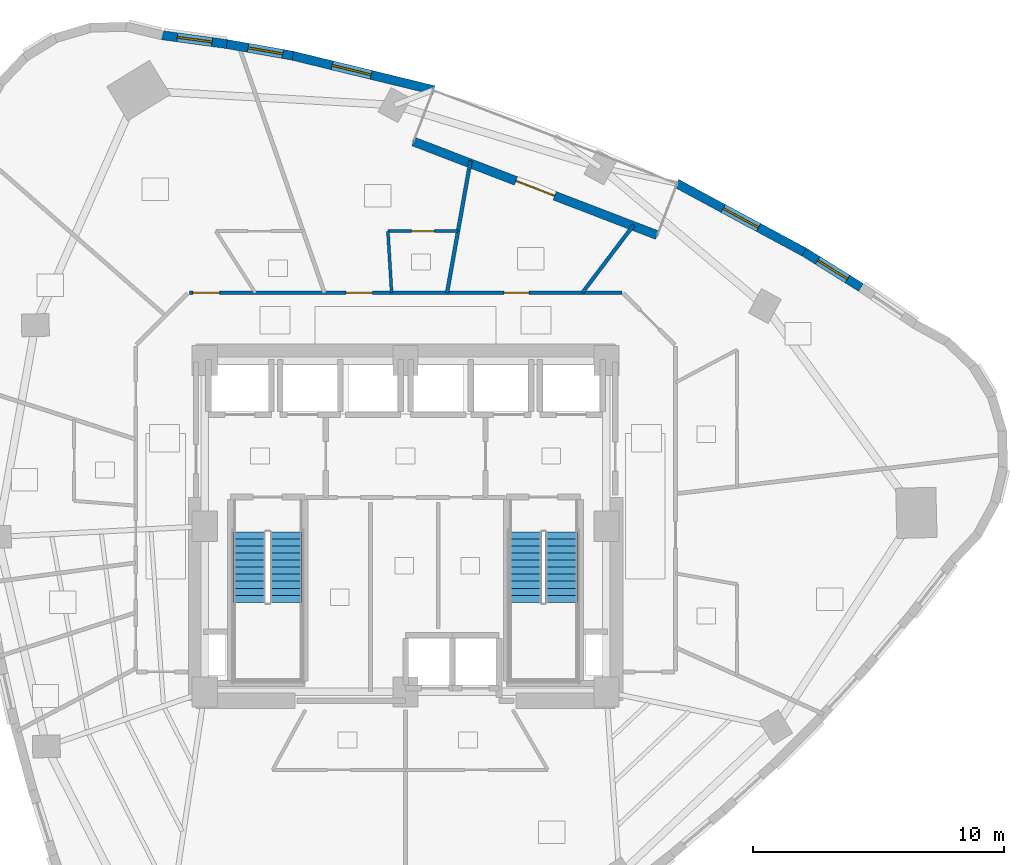
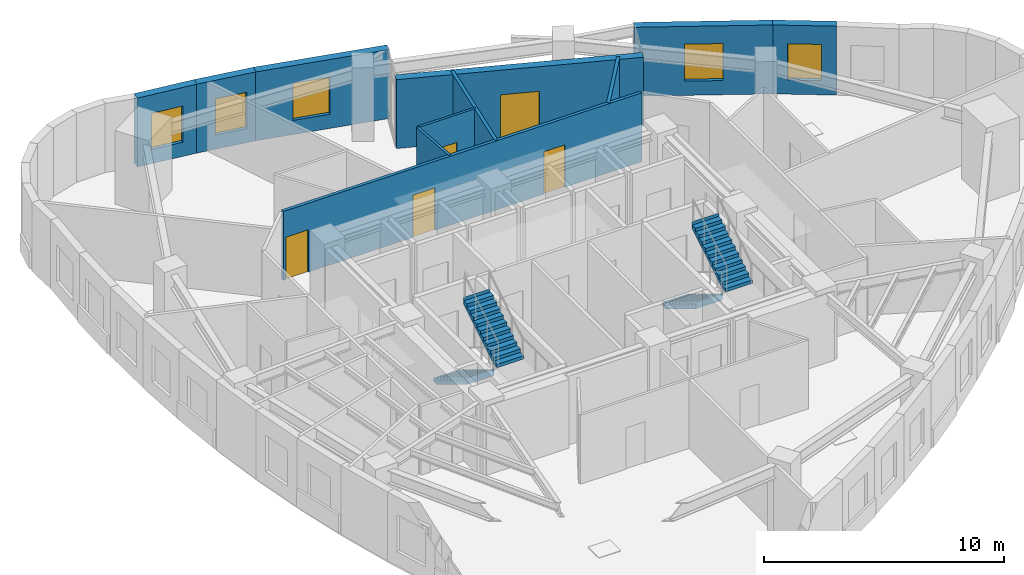
# One storey, part 9 of 12: 11 walls, 5 doors, 5 windows, 4 stair flights, 10 openings, 2 elements without a shape of their own.
"""IFC4 building model written with IfcOpenShell, lengths in metres."""

from ifc_helpers import new_model, si_unit, direction, frame, frame_2d, origin, place, context, subcontext, project, spatial, polyline, rectangle, outline, extrude, material, layer, layer_set, type_object, element, fill, aggregate, save


model = new_model("IFC4")

# Units and contexts
model_context = context("Model", 3, precision=1e-05, world=origin(), true_north=direction((0.0, 1.0)))
body_context = subcontext(model_context, "Body", "Model", "MODEL_VIEW")
ifc_project = project(units=[si_unit("LENGTHUNIT", "METRE"), si_unit("AREAUNIT", "SQUARE_METRE"), si_unit("VOLUMEUNIT", "CUBIC_METRE"), si_unit("PLANEANGLEUNIT", "RADIAN"), si_unit("MASSUNIT", "GRAM", prefix="KILO")], contexts=[model_context])

# Site, building, storey
site_placement = place(None, origin())
site = spatial("IfcSite", under=ifc_project, at=site_placement, CompositionType="ELEMENT")
building_placement = place(site_placement, origin())
building = spatial("IfcBuilding", under=site, at=building_placement, Name="Ndelora Gate Hotel", CompositionType="ELEMENT")
storey_placement = place(building_placement, frame((0.0, 0.0, 153.5)))
storey = spatial("IfcBuildingStorey", under=building, at=storey_placement, Name="L38", CompositionType="ELEMENT", Elevation=153.5)

# Wall, opening, door
ifc_material_1 = material(Name="Clay Brick Masonry", Category="masonry")
ifc_layer_1 = layer(ifc_material_1, 0.360107421875)
ifc_layer_set_1 = layer_set([ifc_layer_1], Name="Clay Brick Masonry")
wall_type_1 = type_object("IfcWallType", Name="WL-BRICK-360", PredefinedType="SOLIDWALL", material=ifc_layer_set_1)
wall_1_placement = place(storey_placement, frame((0.3115234375, 15.32177734375, 0.0), z_axis=(0.0, 0.0, 1.0), x_axis=(0.933571699069, -0.358390684445, 0.0)))
wall_1 = element("IfcWall", 1, at=wall_1_placement, inside=storey, type_object=wall_type_1, Name="L38 Sky-Garden Loggia Rear Brick Wall", PredefinedType="SOLIDWALL", context=body_context, shape_type="SweptSolid", body=[
    extrude(rectangle(XDim=10.400146484375, YDim=0.360107421875, at=frame_2d((5.2001953125, 0.0))), origin(), (0.0, 0.0, 1.0), 3.5),
])
opening_1_placement = place(wall_1_placement, frame((4.375, 0.0, 0.0)))
opening_1 = element("IfcOpeningElement", 2, at=opening_1_placement, cuts=wall_1, Name="Opening TD1", PredefinedType="OPENING", context=body_context, shape_type="SweptSolid", body=[
    extrude(rectangle(XDim=1.64990234375, YDim=2.25, at=frame_2d((0.824951171875, 1.125))), frame((0.0, 0.18994140625, 0.0), z_axis=(0.0, -1.0, 0.0), x_axis=(1.0, 0.0, 0.0)), (0.0, 0.0, 1.0), 0.380126953125),
])
ifc_material_2 = material(Name="Architectural Bronze Glazed Door", Category="metal")
door_type_1 = type_object("IfcDoorType", Name="DR-TER-1650", OperationType="DOUBLE_DOOR_SINGLE_SWING", PredefinedType="DOOR", material=ifc_material_2)
door_1_placement = place(opening_1_placement, origin())
door_1 = element("IfcDoor", 3, at=door_1_placement, inside=storey, type_object=door_type_1, Name="L38 Sky-Garden Terrace Double Door TD1", OperationType="DOUBLE_DOOR_SINGLE_SWING", OverallHeight=2.25, OverallWidth=1.64990234375, PredefinedType="DOOR", context=body_context, shape_type="SweptSolid", body=[
    extrude(rectangle(XDim=1.64990234375, YDim=2.25, at=frame_2d((0.824951171875, 1.125))), frame((0.0, 0.02490234375, 0.0), z_axis=(0.0, -1.0, 0.0), x_axis=(1.0, 0.0, 0.0)), (0.0, 0.0, 1.0), 0.050048828125),
])
fill(opening_1, door_1)

# Wall, opening, window
wall_2_placement = place(storey_placement, frame((15.87451171875, 10.923583984375, 0.0), z_axis=(0.0, 0.0, 1.0), x_axis=(0.848332062802, -0.529464551431, 0.0)))
wall_2 = element("IfcWall", 4, at=wall_2_placement, inside=storey, type_object=wall_type_1, Name="L38 Tower Brick Pier-and-Spandrel Wall TWR-50", PredefinedType="SOLIDWALL", context=body_context, shape_type="SweptSolid", body=[
    extrude(rectangle(XDim=2.669921875, YDim=0.360107421875, at=frame_2d((1.3349609375, 0.0))), origin(), (0.0, 0.0, 1.0), 3.5),
])
opening_2_placement = place(wall_2_placement, frame((0.635009765625, 0.0, 0.719970703125)))
opening_2 = element("IfcOpeningElement", 5, at=opening_2_placement, cuts=wall_2, Name="Opening W02", PredefinedType="OPENING", context=body_context, shape_type="SweptSolid", body=[
    extrude(rectangle(XDim=1.39990234375, YDim=1.840087890625, at=frame_2d((0.699951171875, 0.919921875))), frame((0.0, 0.18994140625, 0.0), z_axis=(0.0, -1.0, 0.0), x_axis=(1.0, 0.0, 0.0)), (0.0, 0.0, 1.0), 0.380126953125),
])
ifc_material_3 = material(Name="Insulated Low-E Double Glazing in Bronze Aluminium Frame", Category="aluminium")
window_type_1 = type_object("IfcWindowType", Name="WN-DEEP-1400", PartitioningType="SINGLE_PANEL", PredefinedType="WINDOW", material=ifc_material_3)
window_1_placement = place(opening_2_placement, origin())
window_1 = element("IfcWindow", 6, at=window_1_placement, inside=storey, type_object=window_type_1, Name="L38 Deep-Set Brick-Pier Window W02", OverallHeight=1.840087890625, OverallWidth=1.39990234375, PartitioningType="SINGLE_PANEL", PredefinedType="WINDOW", context=body_context, shape_type="SweptSolid", body=[
    extrude(rectangle(XDim=1.39990234375, YDim=1.840087890625, at=frame_2d((0.699951171875, 0.919921875))), frame((0.0, 0.030029296875, 0.0), z_axis=(0.0, -1.0, 0.0), x_axis=(1.0, 0.0, 0.0)), (0.0, 0.0, 1.0), 0.06005859375),
])
fill(opening_2, window_1)

wall_3_placement = place(storey_placement, frame((10.787109375, 13.660400390625, 0.0), z_axis=(0.0, 0.0, 1.0), x_axis=(0.880519529696, -0.474009871019, 0.0)))
wall_3 = element("IfcWall", 7, at=wall_3_placement, inside=storey, type_object=wall_type_1, Name="L38 Tower Brick Pier-and-Spandrel Wall TWR-51", PredefinedType="SOLIDWALL", context=body_context, shape_type="SweptSolid", body=[
    extrude(rectangle(XDim=5.826904296875, YDim=0.360107421875, at=frame_2d((2.91357421875, 0.0))), origin(), (0.0, 0.0, 1.0), 3.5),
])
opening_3_placement = place(wall_3_placement, frame((2.11328125, 0.0, 0.719970703125)))
opening_3 = element("IfcOpeningElement", 8, at=opening_3_placement, cuts=wall_3, Name="Opening W01", PredefinedType="OPENING", context=body_context, shape_type="SweptSolid", body=[
    extrude(rectangle(XDim=1.60009765625, YDim=1.8798828125, at=frame_2d((0.800048828125, 0.93994140625))), frame((0.0, 0.18994140625, 0.0), z_axis=(0.0, -1.0, 0.0), x_axis=(1.0, 0.0, 0.0)), (0.0, 0.0, 1.0), 0.380126953125),
])
window_type_2 = type_object("IfcWindowType", Name="WN-DEEP-1600", PartitioningType="SINGLE_PANEL", PredefinedType="WINDOW", material=ifc_material_3)
window_2_placement = place(opening_3_placement, origin())
window_2 = element("IfcWindow", 9, at=window_2_placement, inside=storey, type_object=window_type_2, Name="L38 Deep-Set Brick-Pier Window W01", OverallHeight=1.8798828125, OverallWidth=1.60009765625, PartitioningType="SINGLE_PANEL", PredefinedType="WINDOW", context=body_context, shape_type="SweptSolid", body=[
    extrude(rectangle(XDim=1.60009765625, YDim=1.8798828125, at=frame_2d((0.800048828125, 0.93994140625))), frame((0.0, 0.030029296875, 0.0), z_axis=(0.0, -1.0, 0.0), x_axis=(1.0, 0.0, 0.0)), (0.0, 0.0, 1.0), 0.06005859375),
])
fill(opening_3, window_2)

wall_4_placement = place(storey_placement, frame((-4.536865234375, 18.750244140625, 0.0), z_axis=(0.0, 0.0, 1.0), x_axis=(0.971526219703, -0.236932067122, 0.0)))
wall_4 = element("IfcWall", 10, at=wall_4_placement, inside=storey, type_object=wall_type_1, Name="L38 Tower Brick Pier-and-Spandrel Wall TWR-56", PredefinedType="SOLIDWALL", context=body_context, shape_type="SweptSolid", body=[
    extrude(rectangle(XDim=5.8271484375, YDim=0.360107421875, at=frame_2d((2.91357421875, 0.0))), origin(), (0.0, 0.0, 1.0), 3.5),
])
opening_4_placement = place(wall_4_placement, frame((1.659912109375, 0.0, 0.719970703125)))
opening_4 = element("IfcOpeningElement", 11, at=opening_4_placement, cuts=wall_4, Name="Opening W01", PredefinedType="OPENING", context=body_context, shape_type="SweptSolid", body=[
    extrude(rectangle(XDim=1.60009765625, YDim=1.8798828125, at=frame_2d((0.800048828125, 0.93994140625))), frame((0.0, 0.18994140625, 0.0), z_axis=(0.0, -1.0, 0.0), x_axis=(1.0, 0.0, 0.0)), (0.0, 0.0, 1.0), 0.380126953125),
])
window_3_placement = place(opening_4_placement, origin())
window_3 = element("IfcWindow", 12, at=window_3_placement, inside=storey, type_object=window_type_2, Name="L38 Deep-Set Brick-Pier Window W01", OverallHeight=1.8798828125, OverallWidth=1.60009765625, PartitioningType="SINGLE_PANEL", PredefinedType="WINDOW", context=body_context, shape_type="SweptSolid", body=[
    extrude(rectangle(XDim=1.60009765625, YDim=1.8798828125, at=frame_2d((0.800048828125, 0.93994140625))), frame((0.0, 0.030029296875, 0.0), z_axis=(0.0, -1.0, 0.0), x_axis=(1.0, 0.0, 0.0)), (0.0, 0.0, 1.0), 0.06005859375),
])
fill(opening_4, window_3)

wall_5_placement = place(storey_placement, frame((-7.11669921875, 19.205078125, 0.0), z_axis=(0.0, 0.0, 1.0), x_axis=(0.984708898385, -0.174207879961, 0.0)))
wall_5 = element("IfcWall", 13, at=wall_5_placement, inside=storey, type_object=wall_type_1, Name="L38 Tower Brick Pier-and-Spandrel Wall TWR-57", PredefinedType="SOLIDWALL", context=body_context, shape_type="SweptSolid", body=[
    extrude(rectangle(XDim=2.669677734375, YDim=0.360107421875, at=frame_2d((1.3349609375, 0.0))), origin(), (0.0, 0.0, 1.0), 3.5),
])
opening_5_placement = place(wall_5_placement, frame((0.860107421875, 0.0, 0.719970703125)))
opening_5 = element("IfcOpeningElement", 14, at=opening_5_placement, cuts=wall_5, Name="Opening W02", PredefinedType="OPENING", context=body_context, shape_type="SweptSolid", body=[
    extrude(rectangle(XDim=1.39990234375, YDim=1.840087890625, at=frame_2d((0.699951171875, 0.919921875))), frame((0.0, 0.18994140625, 0.0), z_axis=(0.0, -1.0, 0.0), x_axis=(1.0, 0.0, 0.0)), (0.0, 0.0, 1.0), 0.380126953125),
])
window_4_placement = place(opening_5_placement, origin())
window_4 = element("IfcWindow", 15, at=window_4_placement, inside=storey, type_object=window_type_1, Name="L38 Deep-Set Brick-Pier Window W02", OverallHeight=1.840087890625, OverallWidth=1.39990234375, PartitioningType="SINGLE_PANEL", PredefinedType="WINDOW", context=body_context, shape_type="SweptSolid", body=[
    extrude(rectangle(XDim=1.39990234375, YDim=1.840087890625, at=frame_2d((0.699951171875, 0.919921875))), frame((0.0, 0.030029296875, 0.0), z_axis=(0.0, -1.0, 0.0), x_axis=(1.0, 0.0, 0.0)), (0.0, 0.0, 1.0), 0.06005859375),
])
fill(opening_5, window_4)

wall_6_placement = place(storey_placement, frame((-9.734130859375, 19.562255859375, 0.0), z_axis=(0.0, 0.0, 1.0), x_axis=(0.990763260655, -0.135602954745, 0.0)))
wall_6 = element("IfcWall", 16, at=wall_6_placement, inside=storey, type_object=wall_type_1, Name="L38 Tower Brick Pier-and-Spandrel Wall TWR-58", PredefinedType="SOLIDWALL", context=body_context, shape_type="SweptSolid", body=[
    extrude(rectangle(XDim=2.691650390625, YDim=0.360107421875, at=frame_2d((1.345703125, 0.0))), origin(), (0.0, 0.0, 1.0), 3.5),
])
opening_6_placement = place(wall_6_placement, frame((0.645751953125, 0.0, 0.719970703125)))
opening_6 = element("IfcOpeningElement", 17, at=opening_6_placement, cuts=wall_6, Name="Opening W02", PredefinedType="OPENING", context=body_context, shape_type="SweptSolid", body=[
    extrude(rectangle(XDim=1.39990234375, YDim=1.840087890625, at=frame_2d((0.699951171875, 0.919921875))), frame((0.0, 0.18994140625, 0.0), z_axis=(0.0, -1.0, 0.0), x_axis=(1.0, 0.0, 0.0)), (0.0, 0.0, 1.0), 0.380126953125),
])
window_5_placement = place(opening_6_placement, origin())
window_5 = element("IfcWindow", 18, at=window_5_placement, inside=storey, type_object=window_type_1, Name="L38 Deep-Set Brick-Pier Window W02", OverallHeight=1.840087890625, OverallWidth=1.39990234375, PartitioningType="SINGLE_PANEL", PredefinedType="WINDOW", context=body_context, shape_type="SweptSolid", body=[
    extrude(rectangle(XDim=1.39990234375, YDim=1.840087890625, at=frame_2d((0.699951171875, 0.919921875))), frame((0.0, 0.030029296875, 0.0), z_axis=(0.0, -1.0, 0.0), x_axis=(1.0, 0.0, 0.0)), (0.0, 0.0, 1.0), 0.06005859375),
])
fill(opening_6, window_5)

# Wall, openings, doors
ifc_material_4 = material(Name="Fire-Rated Gypsum Stud Partition", Category="gypsum")
ifc_layer_2 = layer(ifc_material_4, 0.14990234375)
ifc_layer_set_2 = layer_set([ifc_layer_2], Name="Fire-Rated Gypsum Stud Partition")
wall_type_2 = type_object("IfcWallType", Name="WL-PART-150", PredefinedType="PARTITIONING", material=ifc_layer_set_2)
wall_7_placement = place(storey_placement, frame((-8.610107421875, 9.300048828125, 0.0), z_axis=(0.0, 0.0, 1.0), x_axis=(1.0, 0.0, 0.0)))
wall_7 = element("IfcWall", 19, at=wall_7_placement, inside=storey, type_object=wall_type_2, Name="L38 Interior Wall IW-5", PredefinedType="PARTITIONING", context=body_context, shape_type="SweptSolid", body=[
    extrude(rectangle(XDim=17.22021484375, YDim=0.14990234375, at=frame_2d((8.610107421875, 0.0))), origin(), (0.0, 0.0, 1.0), 3.5),
])
opening_7_placement = place(wall_7_placement, frame((12.526611328125, 0.0, 0.0)))
opening_7 = element("IfcOpeningElement", 20, at=opening_7_placement, cuts=wall_7, Name="Opening D01", PredefinedType="OPENING", context=body_context, shape_type="SweptSolid", body=[
    extrude(rectangle(XDim=1.0, YDim=2.14990234375, at=frame_2d((0.5, 1.074951171875))), frame((0.0, 0.0849609375, 0.0), z_axis=(0.0, -1.0, 0.0), x_axis=(1.0, 0.0, 0.0)), (0.0, 0.0, 1.0), 0.169921875),
])
opening_8_placement = place(wall_7_placement, frame((6.231201171875, 0.0, 0.0)))
opening_8 = element("IfcOpeningElement", 21, at=opening_8_placement, cuts=wall_7, Name="Opening D07", PredefinedType="OPENING", context=body_context, shape_type="SweptSolid", body=[
    extrude(rectangle(XDim=1.06005859375, YDim=2.14990234375, at=frame_2d((0.530029296875, 1.074951171875))), frame((0.0, 0.0849609375, 0.0), z_axis=(0.0, -1.0, 0.0), x_axis=(1.0, 0.0, 0.0)), (0.0, 0.0, 1.0), 0.169921875),
])
opening_9_placement = place(wall_7_placement, frame((0.139892578125, 0.0, 0.0)))
opening_9 = element("IfcOpeningElement", 22, at=opening_9_placement, cuts=wall_7, Name="Opening D07", PredefinedType="OPENING", context=body_context, shape_type="SweptSolid", body=[
    extrude(rectangle(XDim=1.06005859375, YDim=2.14990234375, at=frame_2d((0.530029296875, 1.074951171875))), frame((0.0, 0.0849609375, 0.0), z_axis=(0.0, -1.0, 0.0), x_axis=(1.0, 0.0, 0.0)), (0.0, 0.0, 1.0), 0.169921875),
])
ifc_material_5 = material(Name="Acoustic Hardwood Guest Entrance Door", Category="wood")
door_type_2 = type_object("IfcDoorType", Name="DR-COR-1000", OperationType="SINGLE_SWING_LEFT", PredefinedType="DOOR", material=ifc_material_5)
door_2_placement = place(opening_7_placement, origin())
door_2 = element("IfcDoor", 23, at=door_2_placement, inside=storey, type_object=door_type_2, Name="L38 Sky Garden Tea Dining Room Entrance Door", OperationType="SINGLE_SWING_RIGHT", OverallHeight=2.14990234375, OverallWidth=1.0, PredefinedType="DOOR", context=body_context, shape_type="SweptSolid", body=[
    extrude(rectangle(XDim=1.0, YDim=2.14990234375, at=frame_2d((0.5, 1.074951171875))), frame((0.0, 0.02490234375, 0.0), z_axis=(0.0, -1.0, 0.0), x_axis=(1.0, 0.0, 0.0)), (0.0, 0.0, 1.0), 0.050048828125),
])
fill(opening_7, door_2)
ifc_material_6 = material(Name="Diplomatic Suite Acoustic Entrance Door", Category="wood")
door_type_3 = type_object("IfcDoorType", Name="DR-SUITE-1060", OperationType="SINGLE_SWING_LEFT", PredefinedType="DOOR", material=ifc_material_6)
door_3_placement = place(opening_8_placement, origin())
door_3 = element("IfcDoor", 24, at=door_3_placement, inside=storey, type_object=door_type_3, Name="L38 Corner Club Suite 4105 Entrance Door", OperationType="SINGLE_SWING_RIGHT", OverallHeight=2.14990234375, OverallWidth=1.06005859375, PredefinedType="DOOR", context=body_context, shape_type="SweptSolid", body=[
    extrude(rectangle(XDim=1.06005859375, YDim=2.14990234375, at=frame_2d((0.530029296875, 1.074951171875))), frame((0.0, 0.02490234375, 0.0), z_axis=(0.0, -1.0, 0.0), x_axis=(1.0, 0.0, 0.0)), (0.0, 0.0, 1.0), 0.050048828125),
])
fill(opening_8, door_3)
door_4_placement = place(opening_9_placement, origin())
door_4 = element("IfcDoor", 25, at=door_4_placement, inside=storey, type_object=door_type_3, Name="L38 Club Superior Junior Suite 4106 Entrance Door", OperationType="SINGLE_SWING_LEFT", OverallHeight=2.14990234375, OverallWidth=1.06005859375, PredefinedType="DOOR", context=body_context, shape_type="SweptSolid", body=[
    extrude(rectangle(XDim=1.06005859375, YDim=2.14990234375, at=frame_2d((0.530029296875, 1.074951171875))), frame((0.0, 0.02490234375, 0.0), z_axis=(0.0, -1.0, 0.0), x_axis=(1.0, 0.0, 0.0)), (0.0, 0.0, 1.0), 0.050048828125),
])
fill(opening_9, door_4)

# Walls
wall_8_placement = place(storey_placement, frame((7.040283203125, 9.300048828125, 0.0), z_axis=(0.0, 0.0, 1.0), x_axis=(0.603559151409, 0.797318224268, 0.0)))
element("IfcWall", 26, at=wall_8_placement, inside=storey, type_object=wall_type_2, Name="L38 Interior Wall IW-5", PredefinedType="PARTITIONING", context=body_context, shape_type="SweptSolid", body=[
    extrude(rectangle(XDim=3.3857421875, YDim=0.14990234375, at=frame_2d((1.69287109375, 0.0))), origin(), (0.0, 0.0, 1.0), 3.5),
])
wall_9_placement = place(storey_placement, frame((1.652099609375, 9.300048828125, 0.0), z_axis=(0.0, 0.0, 1.0), x_axis=(0.1749308498, 0.984580721824, 0.0)))
element("IfcWall", 27, at=wall_9_placement, inside=storey, type_object=wall_type_2, Name="L38 Interior Wall IW-5", PredefinedType="PARTITIONING", context=body_context, shape_type="SweptSolid", body=[
    extrude(rectangle(XDim=5.3369140625, YDim=0.14990234375, at=frame_2d((2.66845703125, 0.0))), origin(), (0.0, 0.0, 1.0), 3.5),
])
ifc_material_7 = material(Name="Moisture-Resistant Bathroom Tile Partition", Category="gypsum")
ifc_layer_3 = layer(ifc_material_7, 0.1201171875)
ifc_layer_set_3 = layer_set([ifc_layer_3], Name="Moisture-Resistant Bathroom Tile Partition")
wall_type_3 = type_object("IfcWallType", Name="WL-WET-120", PredefinedType="PARTITIONING", material=ifc_layer_set_3)
wall_10_placement = place(storey_placement, frame((-0.556884765625, 9.300048828125, 0.0), z_axis=(0.0, 0.0, 1.0), x_axis=(-0.059684144244, 0.998217312476, 0.0)))
element("IfcWall", 28, at=wall_10_placement, inside=storey, type_object=wall_type_3, Name="L38 Interior Wall IW-7", PredefinedType="PARTITIONING", context=body_context, shape_type="SweptSolid", body=[
    extrude(rectangle(XDim=2.454345703125, YDim=0.1201171875, at=frame_2d((1.22705078125, 0.0))), origin(), (0.0, 0.0, 1.0), 3.5),
])

# Wall, opening, door
wall_11_placement = place(storey_placement, frame((-0.703369140625, 11.75, 0.0), z_axis=(0.0, 0.0, 1.0), x_axis=(1.0, 0.0, 0.0)))
wall_11 = element("IfcWall", 29, at=wall_11_placement, inside=storey, type_object=wall_type_3, Name="L38 Interior Wall IW-7", PredefinedType="PARTITIONING", context=body_context, shape_type="SweptSolid", body=[
    extrude(rectangle(XDim=2.790771484375, YDim=0.1201171875, at=frame_2d((1.3955078125, 0.0))), origin(), (0.0, 0.0, 1.0), 3.5),
])
opening_10_placement = place(wall_11_placement, frame((0.935302734375, 0.0, 0.0)))
opening_10 = element("IfcOpeningElement", 30, at=opening_10_placement, cuts=wall_11, Name="Opening D03", PredefinedType="OPENING", context=body_context, shape_type="SweptSolid", body=[
    extrude(rectangle(XDim=0.919921875, YDim=2.10009765625, at=frame_2d((0.4599609375, 1.050048828125))), frame((0.0, 0.070068359375, 0.0), z_axis=(0.0, -1.0, 0.0), x_axis=(1.0, 0.0, 0.0)), (0.0, 0.0, 1.0), 0.14013671875),
])
ifc_material_8 = material(Name="Moisture-Resistant Hardwood En-Suite Door", Category="wood")
door_type_4 = type_object("IfcDoorType", Name="DR-BATH-920", OperationType="SINGLE_SWING_LEFT", PredefinedType="DOOR", material=ifc_material_8)
door_5_placement = place(opening_10_placement, origin())
door_5 = element("IfcDoor", 31, at=door_5_placement, inside=storey, type_object=door_type_4, Name="L38 En-suite Bathroom 4105 Door", OperationType="SINGLE_SWING_RIGHT", OverallHeight=2.10009765625, OverallWidth=0.919921875, PredefinedType="DOOR", context=body_context, shape_type="SweptSolid", body=[
    extrude(rectangle(XDim=0.919921875, YDim=2.10009765625, at=frame_2d((0.4599609375, 1.050048828125))), frame((0.0, 0.02490234375, 0.0), z_axis=(0.0, -1.0, 0.0), x_axis=(1.0, 0.0, 0.0)), (0.0, 0.0, 1.0), 0.050048828125),
])
fill(opening_10, door_5)

# Stair, stair flights
ifc_material_9 = material(Name="Precast concrete C40/50", Category="concrete")
stair_type = type_object("IfcStairType", Name="STR-DOG-CORE", PredefinedType="HALF_TURN_STAIR", material=ifc_material_9)
stair_1_placement = place(storey_placement, origin())
stair_1 = element("IfcStair", 32, at=stair_1_placement, inside=storey, type_object=stair_type, Name="L38 Protected Core Exit Stair ST4", PredefinedType="HALF_TURN_STAIR")
stair_flight_type = type_object("IfcStairFlightType", Name="STF-PRECAST", PredefinedType="STRAIGHT", material=ifc_material_9)
stair_flight_1_placement = place(storey_placement, frame((-6.2099609375, -0.22998046875, 0.0), z_axis=(0.0, 0.0, 1.0), x_axis=(0.0, -1.0, 0.0)))
stair_flight_1 = element("IfcStairFlight", 33, at=stair_flight_1_placement, type_object=stair_flight_type, Name="ST4 flight 1", NumberOfRisers=11, NumberOfTreads=10, PredefinedType="STRAIGHT", RiserHeight=0.170454545, TreadLength=0.28, context=body_context, shape_type="SweptSolid", body=[
    extrude(outline(polyline([(-0.00048828125, 0.0), (-0.00048828125, 0.17041015625), (0.0, 0.17041015625), (0.280029296875, 0.17041015625), (0.280029296875, 0.3408203125), (0.56005859375, 0.3408203125), (0.56005859375, 0.511474609375), (0.840087890625, 0.511474609375), (0.840087890625, 0.681884765625), (1.1201171875, 0.681884765625), (1.1201171875, 0.852294921875), (1.39990234375, 0.852294921875), (1.39990234375, 1.022705078125), (1.679931640625, 1.022705078125), (1.679931640625, 1.193115234375), (1.9599609375, 1.193115234375), (1.9599609375, 1.363525390625), (2.239990234375, 1.363525390625), (2.239990234375, 1.5341796875), (2.52001953125, 1.5341796875), (2.52001953125, 1.70458984375), (2.800048828125, 1.70458984375), (2.800048828125, 1.875), (2.800537109375, 1.875), (2.800537109375, 1.695068359375), (2.800048828125, 1.529052734375), (0.288330078125, 0.0), (-0.00048828125, 0.0)])), frame((0.0, 0.64013671875, 0.0), z_axis=(0.0, -1.0, 0.0), x_axis=(1.0, 0.0, 0.0)), (0.0, 0.0, 1.0), 1.280029296875),
])
stair_flight_2_placement = place(storey_placement, frame((-4.77001953125, -3.030029296875, 1.875), z_axis=(0.0, 0.0, 1.0), x_axis=(0.0, 1.0, 0.0)))
stair_flight_2 = element("IfcStairFlight", 34, at=stair_flight_2_placement, type_object=stair_flight_type, Name="ST4 flight 2", NumberOfRisers=11, NumberOfTreads=10, PredefinedType="STRAIGHT", RiserHeight=0.170454545, TreadLength=0.28, context=body_context, shape_type="SweptSolid", body=[
    extrude(outline(polyline([(-0.00048828125, 0.0), (-0.00048828125, 0.17041015625), (0.0, 0.17041015625), (0.280029296875, 0.17041015625), (0.280029296875, 0.3408203125), (0.56005859375, 0.3408203125), (0.56005859375, 0.511474609375), (0.840087890625, 0.511474609375), (0.840087890625, 0.681884765625), (1.1201171875, 0.681884765625), (1.1201171875, 0.852294921875), (1.39990234375, 0.852294921875), (1.39990234375, 1.022705078125), (1.679931640625, 1.022705078125), (1.679931640625, 1.193115234375), (1.9599609375, 1.193115234375), (1.9599609375, 1.363525390625), (2.239990234375, 1.363525390625), (2.239990234375, 1.5341796875), (2.52001953125, 1.5341796875), (2.52001953125, 1.70458984375), (2.800048828125, 1.70458984375), (2.800048828125, 1.875), (2.800537109375, 1.875), (2.800537109375, 1.695068359375), (2.800048828125, 1.529052734375), (0.288330078125, 0.0), (-0.00048828125, 0.0)])), frame((0.0, 0.64013671875, 0.0), z_axis=(0.0, -1.0, 0.0), x_axis=(1.0, 0.0, 0.0)), (0.0, 0.0, 1.0), 1.280029296875),
])
aggregate(stair_1, [stair_flight_1, stair_flight_2])

stair_2_placement = place(storey_placement, origin())
stair_2 = element("IfcStair", 35, at=stair_2_placement, inside=storey, type_object=stair_type, Name="L38 Protected Core Exit Stair ST5", PredefinedType="HALF_TURN_STAIR")
stair_flight_3_placement = place(storey_placement, frame((4.77001953125, -0.22998046875, 0.0), z_axis=(0.0, 0.0, 1.0), x_axis=(0.0, -1.0, 0.0)))
stair_flight_3 = element("IfcStairFlight", 36, at=stair_flight_3_placement, type_object=stair_flight_type, Name="ST5 flight 1", NumberOfRisers=11, NumberOfTreads=10, PredefinedType="STRAIGHT", RiserHeight=0.170454545, TreadLength=0.28, context=body_context, shape_type="SweptSolid", body=[
    extrude(outline(polyline([(-0.00048828125, 0.0), (-0.00048828125, 0.17041015625), (0.0, 0.17041015625), (0.280029296875, 0.17041015625), (0.280029296875, 0.3408203125), (0.56005859375, 0.3408203125), (0.56005859375, 0.511474609375), (0.840087890625, 0.511474609375), (0.840087890625, 0.681884765625), (1.1201171875, 0.681884765625), (1.1201171875, 0.852294921875), (1.39990234375, 0.852294921875), (1.39990234375, 1.022705078125), (1.679931640625, 1.022705078125), (1.679931640625, 1.193115234375), (1.9599609375, 1.193115234375), (1.9599609375, 1.363525390625), (2.239990234375, 1.363525390625), (2.239990234375, 1.5341796875), (2.52001953125, 1.5341796875), (2.52001953125, 1.70458984375), (2.800048828125, 1.70458984375), (2.800048828125, 1.875), (2.800537109375, 1.875), (2.800537109375, 1.695068359375), (2.800048828125, 1.529052734375), (0.288330078125, 0.0), (-0.00048828125, 0.0)])), frame((0.0, 0.64013671875, 0.0), z_axis=(0.0, -1.0, 0.0), x_axis=(1.0, 0.0, 0.0)), (0.0, 0.0, 1.0), 1.280029296875),
])
stair_flight_4_placement = place(storey_placement, frame((6.2099609375, -3.030029296875, 1.875), z_axis=(0.0, 0.0, 1.0), x_axis=(0.0, 1.0, 0.0)))
stair_flight_4 = element("IfcStairFlight", 37, at=stair_flight_4_placement, type_object=stair_flight_type, Name="ST5 flight 2", NumberOfRisers=11, NumberOfTreads=10, PredefinedType="STRAIGHT", RiserHeight=0.170454545, TreadLength=0.28, context=body_context, shape_type="SweptSolid", body=[
    extrude(outline(polyline([(-0.00048828125, 0.0), (-0.00048828125, 0.17041015625), (0.0, 0.17041015625), (0.280029296875, 0.17041015625), (0.280029296875, 0.3408203125), (0.56005859375, 0.3408203125), (0.56005859375, 0.511474609375), (0.840087890625, 0.511474609375), (0.840087890625, 0.681884765625), (1.1201171875, 0.681884765625), (1.1201171875, 0.852294921875), (1.39990234375, 0.852294921875), (1.39990234375, 1.022705078125), (1.679931640625, 1.022705078125), (1.679931640625, 1.193115234375), (1.9599609375, 1.193115234375), (1.9599609375, 1.363525390625), (2.239990234375, 1.363525390625), (2.239990234375, 1.5341796875), (2.52001953125, 1.5341796875), (2.52001953125, 1.70458984375), (2.800048828125, 1.70458984375), (2.800048828125, 1.875), (2.800537109375, 1.875), (2.800537109375, 1.695068359375), (2.800048828125, 1.529052734375), (0.288330078125, 0.0), (-0.00048828125, 0.0)])), frame((0.0, 0.64013671875, 0.0), z_axis=(0.0, -1.0, 0.0), x_axis=(1.0, 0.0, 0.0)), (0.0, 0.0, 1.0), 1.280029296875),
])
aggregate(stair_2, [stair_flight_3, stair_flight_4])

save(model, "model.ifc")
